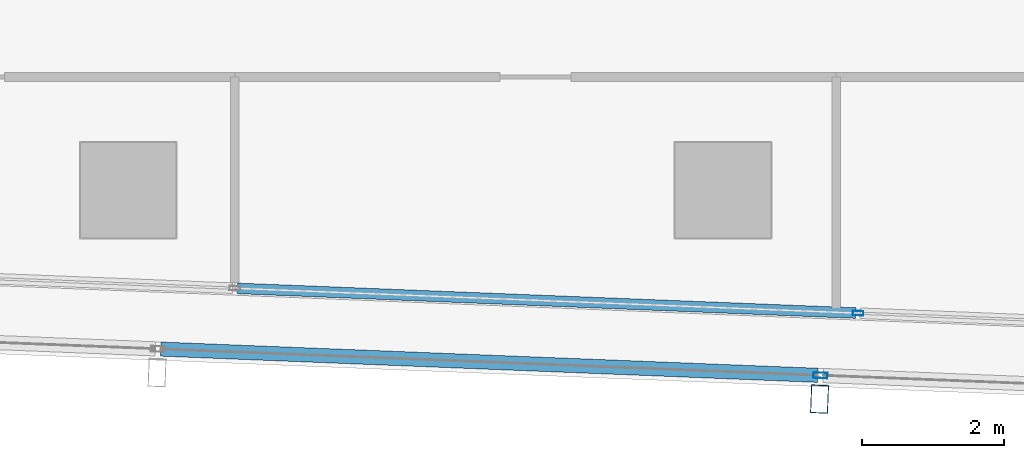
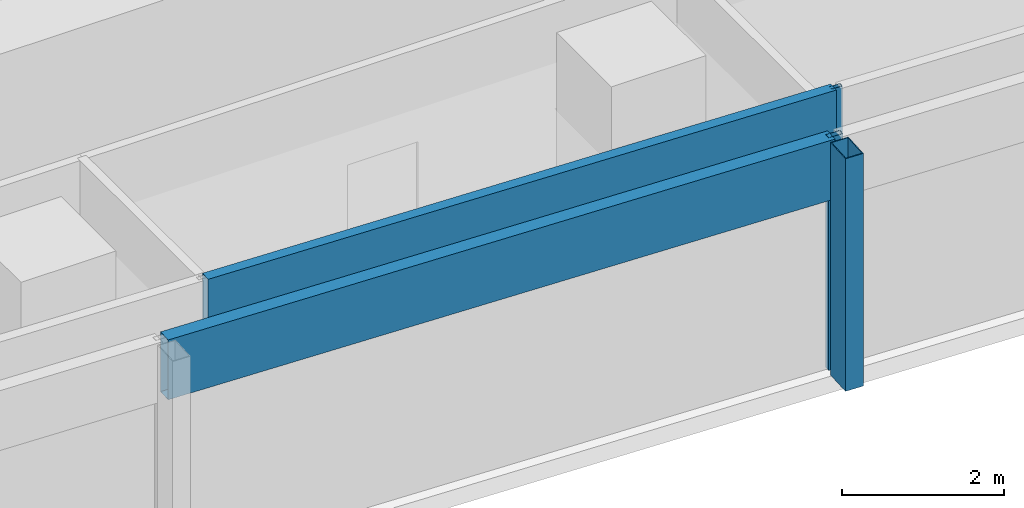
# One storey, part 7 of 39: 5 members, 2 elements without a shape of their own.
"""IFC4 building model written with IfcOpenShell, lengths in metres."""

from ifc_helpers import new_model, si_unit, direction, frame, origin, origin_2d, place, context, subcontext, project, spatial, hollow_rectangle, extrude, material, material_profile, profile_set, type_object, element, aggregate, save


model = new_model("IFC4")

# Units and contexts
model_context = context("Model", 3, precision=1e-05, world=origin(), true_north=direction((0.0, 1.0)))
body_context = subcontext(model_context, "Body", "Model", "MODEL_VIEW")
ifc_project = project(units=[si_unit("LENGTHUNIT", "METRE"), si_unit("AREAUNIT", "SQUARE_METRE"), si_unit("VOLUMEUNIT", "CUBIC_METRE"), si_unit("PLANEANGLEUNIT", "RADIAN"), si_unit("MASSUNIT", "GRAM", prefix="KILO")], contexts=[model_context])

# Site, building, storey
site_placement = place(None, origin())
site = spatial("IfcSite", under=ifc_project, at=site_placement, CompositionType="ELEMENT")
building_placement = place(site_placement, origin())
building = spatial("IfcBuilding", under=site, at=building_placement, Name="Rekha Terrace Tower", CompositionType="ELEMENT")
storey_placement = place(building_placement, frame((0.0, 0.0, 221.449951171875)))
storey = spatial("IfcBuildingStorey", under=building, at=storey_placement, Name="L56", CompositionType="ELEMENT", Elevation=221.449951171875)

# Curtain wall, member
ifc_material_1 = material(Name="Aluminium framing", Category="aluminium")
curtain_wall_type_1 = type_object("IfcCurtainWallType", Name="CW2 double skin outer glazing", PredefinedType="USERDEFINED", material=ifc_material_1)
curtain_wall_1_placement = place(storey_placement, origin())
curtain_wall_1 = element("IfcCurtainWall", 1, at=curtain_wall_1_placement, inside=storey, type_object=curtain_wall_type_1, Name="CW2 double skin outer glazing", ObjectType="DOUBLE SKIN OUTER GLAZING", PredefinedType="USERDEFINED")
ifc_material_2 = material(Name="Steel S355 with fluorocarbon finish", Category="steel")
ifc_material_profile_1 = material_profile(ifc_material_2, hollow_rectangle(XDim=0.25, YDim=0.39990234375, WallThickness=0.012451171875, at=origin_2d()), Name="RHS400x250x12.5")
ifc_profile_set_1 = profile_set([ifc_material_profile_1], Name="Steel S355 with fluorocarbon finish")
member_type_1 = type_object("IfcMemberType", Name="BL1 facade blade RHS 400 x 250", PredefinedType="USERDEFINED", material=ifc_profile_set_1)
member_1_placement = place(storey_placement, frame((34.9638671875, 13.84912109375, 0.0), z_axis=(0.0, 0.0, 1.0), x_axis=(0.999204797763, -0.039871946621, 0.0)))
member_1 = element("IfcMember", 2, at=member_1_placement, type_object=member_type_1, Name="Facade blade", ObjectType="FACADE BLADE", PredefinedType="USERDEFINED", context=body_context, shape_type="SweptSolid", body=[
    extrude(hollow_rectangle(XDim=0.25, YDim=0.39990234375, WallThickness=0.012451171875, at=origin_2d()), origin(), (0.0, 0.0, 1.0), 3.5),
])

# Curtain wall, members
curtain_wall_type_2 = type_object("IfcCurtainWallType", Name="CW1 double skin inner glazing", PredefinedType="USERDEFINED", material=ifc_material_1)
curtain_wall_2_placement = place(storey_placement, origin())
curtain_wall_2 = element("IfcCurtainWall", 3, at=curtain_wall_2_placement, inside=storey, type_object=curtain_wall_type_2, Name="CW1 double skin inner glazing", ObjectType="DOUBLE SKIN INNER GLAZING", PredefinedType="USERDEFINED")
ifc_material_3 = material(Name="Aluminium mullion section", Category="aluminium")
ifc_material_profile_2 = material_profile(ifc_material_3, hollow_rectangle(XDim=0.06494140625, YDim=0.14990234375, WallThickness=0.00390625, at=origin_2d()), Name="AL RHS 65x150")
ifc_profile_set_2 = profile_set([ifc_material_profile_2], Name="Aluminium mullion section")
member_type_2 = type_object("IfcMemberType", Name="CW1 mullion RHS 65 x 150", PredefinedType="MULLION", material=ifc_profile_set_2)
member_2_placement = place(storey_placement, frame((35.507568359375, 15.063232421875, 0.0), z_axis=(0.0, 0.0, 1.0), x_axis=(0.039872497061, 0.999204775798, 0.0)))
member_2 = element("IfcMember", 4, at=member_2_placement, type_object=member_type_2, Name="CW1 mullion 4", PredefinedType="MULLION", context=body_context, shape_type="SweptSolid", body=[
    extrude(hollow_rectangle(XDim=0.06494140625, YDim=0.14990234375, WallThickness=0.00390625, at=origin_2d()), origin(), (0.0, 0.0, 1.0), 3.5),
])
ifc_material_4 = material(Name="Insulated aluminium spandrel box", Category="aluminium")
ifc_material_profile_3 = material_profile(ifc_material_4, hollow_rectangle(XDim=0.14990234375, YDim=0.89990234375, WallThickness=0.0029296875, at=origin_2d()), Name="AL SPANDREL BOX 150x900")
ifc_profile_set_3 = profile_set([ifc_material_profile_3], Name="Insulated aluminium spandrel box")
member_type_3 = type_object("IfcMemberType", Name="CW1 spandrel transom 150 x 900", PredefinedType="USERDEFINED", material=ifc_profile_set_3)
member_3_placement = place(storey_placement, frame((26.73583984375, 15.413330078125, 3.050048828125), z_axis=(0.999205233714, -0.039861020051, 0.0), x_axis=(0.039861020051, 0.999205233714, 0.0)))
member_3 = element("IfcMember", 5, at=member_3_placement, type_object=member_type_3, Name="CW1 spandrel transom 3", ObjectType="TRANSOM", PredefinedType="USERDEFINED", context=body_context, shape_type="SweptSolid", body=[
    extrude(hollow_rectangle(XDim=0.14990234375, YDim=0.89990234375, WallThickness=0.0029296875, at=origin_2d()), origin(), (0.0, 0.0, 1.0), 8.74609375),
])
aggregate(curtain_wall_2, [member_2, member_3])

# Member
ifc_material_profile_4 = material_profile(ifc_material_3, hollow_rectangle(XDim=0.080078125, YDim=0.199951171875, WallThickness=0.00390625, at=origin_2d()), Name="AL RHS 80x200")
ifc_profile_set_4 = profile_set([ifc_material_profile_4], Name="Aluminium mullion section")
member_type_4 = type_object("IfcMemberType", Name="CW2 mullion RHS 80 x 200", PredefinedType="MULLION", material=ifc_profile_set_4)
member_4_placement = place(storey_placement, frame((34.97705078125, 14.183837890625, 0.0), z_axis=(0.0, 0.0, 1.0), x_axis=(0.039872497044, 0.999204775799, 0.0)))
member_4 = element("IfcMember", 6, at=member_4_placement, type_object=member_type_4, Name="CW2 mullion 4", PredefinedType="MULLION", context=body_context, shape_type="SweptSolid", body=[
    extrude(hollow_rectangle(XDim=0.080078125, YDim=0.199951171875, WallThickness=0.00390625, at=origin_2d()), origin(), (0.0, 0.0, 1.0), 3.5),
])

ifc_material_profile_5 = material_profile(ifc_material_4, hollow_rectangle(XDim=0.199951171875, YDim=0.89990234375, WallThickness=0.0029296875, at=origin_2d()), Name="AL SPANDREL BOX 200x900")
ifc_profile_set_5 = profile_set([ifc_material_profile_5], Name="Insulated aluminium spandrel box")
member_type_5 = type_object("IfcMemberType", Name="CW2 spandrel transom 200 x 900", PredefinedType="USERDEFINED", material=ifc_profile_set_5)
member_5_placement = place(storey_placement, frame((25.658447265625, 14.5556640625, 3.050048828125), z_axis=(0.999204356934, -0.039882992408, 0.0), x_axis=(0.039882992408, 0.999204356934, 0.0)))
member_5 = element("IfcMember", 7, at=member_5_placement, type_object=member_type_5, Name="CW2 spandrel transom 3", ObjectType="TRANSOM", PredefinedType="USERDEFINED", context=body_context, shape_type="SweptSolid", body=[
    extrude(hollow_rectangle(XDim=0.199951171875, YDim=0.89990234375, WallThickness=0.0029296875, at=origin_2d()), origin(), (0.0, 0.0, 1.0), 9.2861328125),
])

aggregate(curtain_wall_1, [member_4, member_5, member_1])

save(model, "model.ifc")
